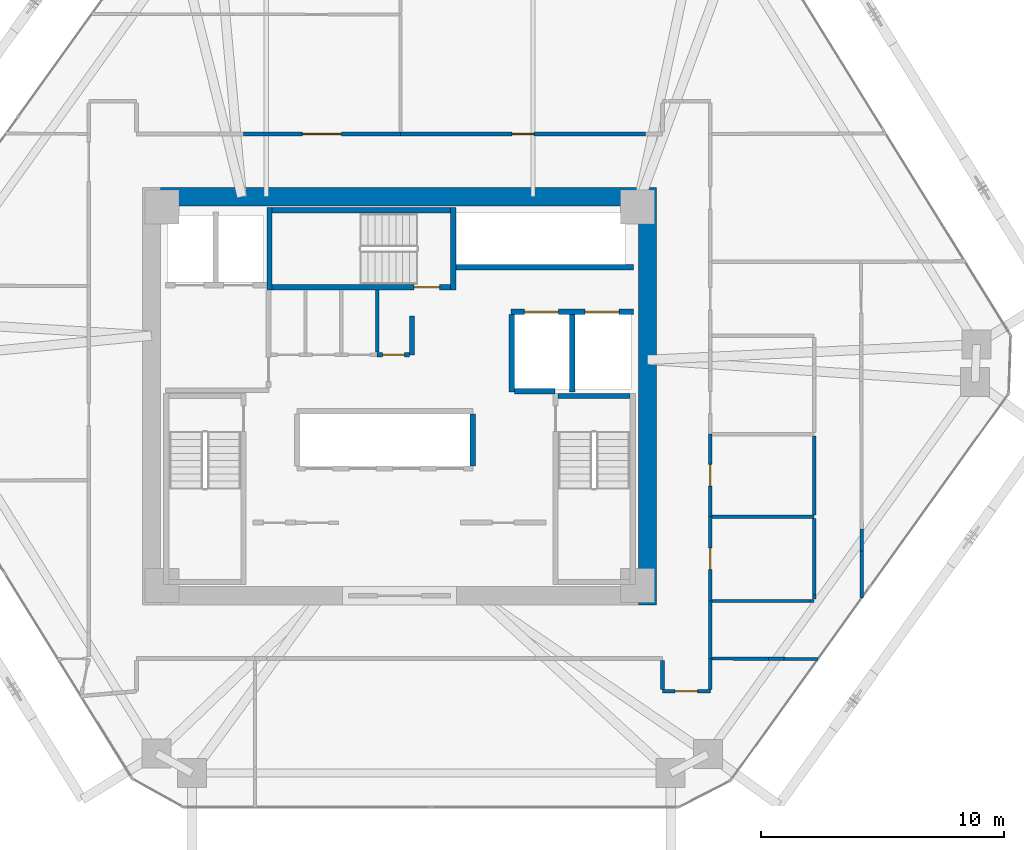
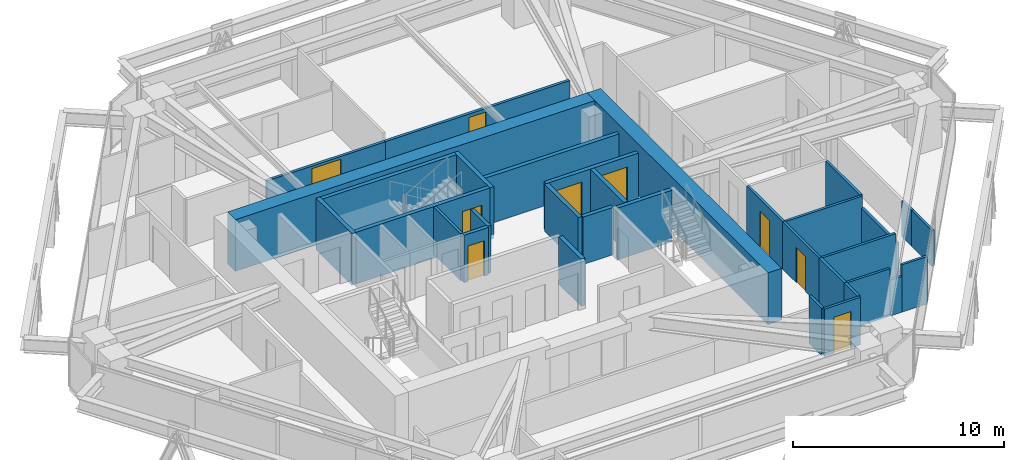
# One storey, part 14 of 17: 35 walls, 9 doors, 9 openings.
"""IFC4 building model written with IfcOpenShell, lengths in metres."""

import ifcopenshell
import ifcopenshell.guid

model = None  # the IFC model being written
_history = None  # IfcOwnerHistory: only IFC2X3 demands one
_inside = {}  # id of a spatial element -> (the spatial element, [elements in it])
_under = {}  # id of a project, library or spatial element -> (it, [spatial elements below it])
_declared = {}  # id of a project -> (the project, [libraries it declares])
_typed = {}  # id of a type object -> (the type object, [elements of that type])
_made_of = {}  # id of a material, layer set ... -> (it, [elements and type objects made of it])


def new_model(schema):
    """Start an empty IFC model of exactly this schema.

    Asked for "IFC4X3", IfcOpenShell would pick the latest addendum, in which some entities
    have other attributes; the version numbers below select the first issue.
    IFC2X3 requires an IfcOwnerHistory on every rooted entity: one is made here for all.
    """
    global model, _history
    if schema == "IFC4X3":
        model = ifcopenshell.file(schema_version=(4, 3, 0, 0))
    else:
        model = ifcopenshell.file(schema=schema)
    _inside.clear()
    _under.clear()
    _declared.clear()
    _typed.clear()
    _made_of.clear()
    _history = None
    if model.schema == "IFC2X3":
        org = make("IfcOrganization", Name="unknown")
        user = make(
            "IfcPersonAndOrganization",
            ThePerson=make("IfcPerson", FamilyName="unknown"),
            TheOrganization=org,
        )
        app = make(
            "IfcApplication",
            ApplicationDeveloper=org,
            Version="unknown",
            ApplicationFullName="unknown",
            ApplicationIdentifier="unknown",
        )
        _history = make(
            "IfcOwnerHistory",
            OwningUser=user,
            OwningApplication=app,
            ChangeAction="ADDED",
            CreationDate=0,
        )
    return model


def make(cls, **values):
    """One entity of the class cls with the attributes given. An attribute that is None is left unset."""
    return model.create_entity(
        cls, **{name: value for name, value in values.items() if value is not None}
    )


def rooted(cls, **values):
    """An entity with a GlobalId (a new one), such as an element, a storey or a relation."""
    return make(cls, GlobalId=ifcopenshell.guid.new(), OwnerHistory=_history, **values)


def si_unit(unit_type, name, prefix=None):
    """IfcSIUnit, for example si_unit("LENGTHUNIT", "METRE", prefix="MILLI")."""
    return make("IfcSIUnit", UnitType=unit_type, Prefix=prefix, Name=name)


def assignment(units):
    """IfcUnitAssignment: the units of a project."""
    return None if units is None else make("IfcUnitAssignment", Units=units)


def point(xyz):
    """IfcCartesianPoint."""
    return None if xyz is None else make("IfcCartesianPoint", Coordinates=xyz)


def direction(xyz):
    """IfcDirection."""
    return None if xyz is None else make("IfcDirection", DirectionRatios=xyz)


def frame(location, z_axis=None, x_axis=None):
    """IfcAxis2Placement3D, a coordinate frame: its origin and axes. An axis left out is left unset."""
    return make(
        "IfcAxis2Placement3D",
        Location=point(location),
        Axis=direction(z_axis),
        RefDirection=direction(x_axis),
    )


def frame_2d(location, x_axis=None):
    """IfcAxis2Placement2D, a coordinate frame in the plane: its origin and x axis."""
    return make(
        "IfcAxis2Placement2D", Location=point(location), RefDirection=direction(x_axis)
    )


def origin():
    """The frame at (0, 0, 0) with its axes left unset."""
    return frame((0.0, 0.0, 0.0))


def place(relative_to, where):
    """IfcLocalPlacement: puts the frame where relative to a parent placement (None: the world)."""
    return make(
        "IfcLocalPlacement", PlacementRelTo=relative_to, RelativePlacement=where
    )


def context(
    kind, dimensions, precision=None, world=None, true_north=None, identifier=None
):
    """IfcGeometricRepresentationContext, for example the 3D "Model" context."""
    return make(
        "IfcGeometricRepresentationContext",
        ContextIdentifier=identifier,
        ContextType=kind,
        CoordinateSpaceDimension=dimensions,
        Precision=precision,
        WorldCoordinateSystem=world,
        TrueNorth=true_north,
    )


def subcontext(parent, identifier, kind, view, scale=None):
    """IfcGeometricRepresentationSubContext, for example "Body" below "Model"."""
    return make(
        "IfcGeometricRepresentationSubContext",
        ContextIdentifier=identifier,
        ContextType=kind,
        ParentContext=parent,
        TargetScale=scale,
        TargetView=view,
    )


def project(units=None, contexts=None):
    """IfcProject with its units and contexts."""
    return rooted(
        "IfcProject",
        Name="project",
        RepresentationContexts=contexts,
        UnitsInContext=assignment(units),
    )


def spatial(cls, under=None, at=None, **own):
    """A site, building, storey or space (cls), placed at a placement, below another one or the project."""
    s = rooted(cls, ObjectPlacement=at, **own)
    if under is not None:
        _under.setdefault(under.id(), (under, []))[1].append(s)
    return s


def profile(cls, at=None, kind="AREA", **sizes):
    """A parametric profile (cls). Its sizes go by their IFC names, for example OverallWidth=200.0."""
    return make(cls, ProfileType=kind, Position=at, **sizes)


def rectangle(**sizes):
    """IfcRectangleProfileDef."""
    return profile("IfcRectangleProfileDef", **sizes)


def extrude(swept, where, along, depth):
    """IfcExtrudedAreaSolid: the profile swept, set in the frame where, extruded along a direction by depth."""
    return make(
        "IfcExtrudedAreaSolid",
        SweptArea=swept,
        Position=where,
        ExtrudedDirection=direction(along),
        Depth=depth,
    )


def shape(context_of_items, identifier, shape_type, items):
    """IfcShapeRepresentation: the items that make up one representation, for example the "Body"."""
    return make(
        "IfcShapeRepresentation",
        ContextOfItems=context_of_items,
        RepresentationIdentifier=identifier,
        RepresentationType=shape_type,
        Items=items,
    )


def source(mapping_origin, context_of_items, identifier, shape_type, items):
    """IfcRepresentationMap: a shape defined once, which mapped items show again and again."""
    return make(
        "IfcRepresentationMap",
        MappingOrigin=mapping_origin,
        MappedRepresentation=shape(context_of_items, identifier, shape_type, items),
    )


def transform(
    local_origin,
    x_axis=None,
    y_axis=None,
    z_axis=None,
    scale=None,
    scale2=None,
    scale3=None,
    uniform=True,
):
    """IfcCartesianTransformationOperator3D, or its non-uniform kind. x_axis, y_axis, z_axis: its Axis1, 2, 3."""
    if uniform:
        return make(
            "IfcCartesianTransformationOperator3D",
            Axis1=direction(x_axis),
            Axis2=direction(y_axis),
            LocalOrigin=point(local_origin),
            Scale=scale,
            Axis3=direction(z_axis),
        )
    return make(
        "IfcCartesianTransformationOperator3DnonUniform",
        Axis1=direction(x_axis),
        Axis2=direction(y_axis),
        LocalOrigin=point(local_origin),
        Scale=scale,
        Axis3=direction(z_axis),
        Scale2=scale2,
        Scale3=scale3,
    )


def mapped(mapping_source, mapping_target):
    """IfcMappedItem: shows the shape of a source again, moved by a transform."""
    return make(
        "IfcMappedItem", MappingSource=mapping_source, MappingTarget=mapping_target
    )


def material(Name=None, Category=None):
    """IfcMaterial."""
    return make("IfcMaterial", Name=Name, Category=Category)


def layer(
    of_material, thickness, ventilated=None, Name=None, Category=None, Priority=None
):
    """IfcMaterialLayer: one layer of a wall or slab, of a material (None: an air gap)."""
    return make(
        "IfcMaterialLayer",
        Material=of_material,
        LayerThickness=thickness,
        IsVentilated=ventilated,
        Name=Name,
        Category=Category,
        Priority=Priority,
    )


def layer_set(layers, Name=None):
    """IfcMaterialLayerSet."""
    return make("IfcMaterialLayerSet", MaterialLayers=layers, LayerSetName=Name)


def made_of(thing, what):
    """Note that an element or type object is made of a material, layer set ...; save() writes the relation."""
    if what is not None:
        _made_of.setdefault(what.id(), (what, []))[1].append(thing)
    return thing


def type_object(cls, material=None, **own):
    """A type object (cls), such as IfcWallType, which elements share."""
    return made_of(rooted(cls, **own), material)


def type_shapes(of_type, sources):
    """Give a type object the sources (RepresentationMaps) that its elements show as mapped items."""
    of_type.RepresentationMaps = sources


def element(
    cls,
    number,
    at=None,
    inside=None,
    cuts=None,
    type_object=None,
    material=None,
    context=None,
    identifier="Body",
    shape_type=None,
    held_by="IfcProductDefinitionShape",
    body=None,
    shapes=None,
    **own,
):
    """One element of the class cls, such as IfcWall. Its Tag is "e" and its number.

    at: its placement. inside: the storey or other place that contains it. cuts: it is an
    opening in that element (IfcRelVoidsElement). A single representation is given by context,
    identifier, shape_type and body (its items); several are given by shapes. held_by: the class
    of the entity that holds the representations. save() writes the other relations.
    """
    e = rooted(cls, Tag="e%d" % number, ObjectPlacement=at, **own)
    if body is not None:
        shapes = [shape(context, identifier, shape_type, body)]
    if shapes is not None:
        e.Representation = make(held_by, Representations=shapes)
    if inside is not None:
        _inside.setdefault(inside.id(), (inside, []))[1].append(e)
    if cuts is not None:
        rooted(
            "IfcRelVoidsElement", RelatingBuildingElement=cuts, RelatedOpeningElement=e
        )
    if type_object is not None:
        _typed.setdefault(type_object.id(), (type_object, []))[1].append(e)
    return made_of(e, material)


def fill(opening, filler):
    """IfcRelFillsElement: the door or window that sits in an opening."""
    return rooted(
        "IfcRelFillsElement",
        RelatingOpeningElement=opening,
        RelatedBuildingElement=filler,
    )


def aggregate(whole, parts):
    """IfcRelAggregates: a whole, such as a stair, and the parts it consists of."""
    return rooted("IfcRelAggregates", RelatingObject=whole, RelatedObjects=parts)


def save(model, path):
    """Write the relations noted so far, then the file.

    IfcRelAggregates (storeys below a building ...), IfcRelContainedInSpatialStructure (elements
    in a storey), IfcRelDefinesByType, IfcRelAssociatesMaterial and IfcRelDeclares: one each for
    every whole, place, type object, material and project.
    """
    for whole, parts in _under.values():
        aggregate(whole, parts)
    for where, things in _inside.values():
        rooted(
            "IfcRelContainedInSpatialStructure",
            RelatedElements=things,
            RelatingStructure=where,
        )
    for kind, things in _typed.values():
        rooted("IfcRelDefinesByType", RelatedObjects=things, RelatingType=kind)
    for what, things in _made_of.values():
        rooted("IfcRelAssociatesMaterial", RelatedObjects=things, RelatingMaterial=what)
    for by, libraries in _declared.values():
        rooted("IfcRelDeclares", RelatingContext=by, RelatedDefinitions=libraries)
    model.write(path)


model = new_model("IFC4")

# Units and contexts
model_context = context("Model", 3, precision=1e-05, world=origin(), true_north=direction((0.0, 1.0)))
body_context = subcontext(model_context, "Body", "Model", "MODEL_VIEW")
ifc_project = project(units=[si_unit("LENGTHUNIT", "METRE"), si_unit("AREAUNIT", "SQUARE_METRE"), si_unit("VOLUMEUNIT", "CUBIC_METRE"), si_unit("PLANEANGLEUNIT", "RADIAN"), si_unit("MASSUNIT", "GRAM", prefix="KILO")], contexts=[model_context])

# Site, building, storey
site_placement = place(None, origin())
site = spatial("IfcSite", under=ifc_project, at=site_placement, CompositionType="ELEMENT")
building_placement = place(site_placement, origin())
building = spatial("IfcBuilding", under=site, at=building_placement, Name="Durnholm Broadcast Tower", CompositionType="ELEMENT")
storey_placement = place(building_placement, frame((0.0, 0.0, 137.10009765625)))
storey = spatial("IfcBuildingStorey", under=building, at=storey_placement, Name="L37", CompositionType="ELEMENT", Elevation=137.10009765625)

# Walls
ifc_material_1 = material(Name="Concrete C70/85", Category="concrete")
ifc_layer_1 = layer(ifc_material_1, 0.75)
ifc_layer_set_1 = layer_set([ifc_layer_1], Name="Concrete C70/85")
wall_type_1 = type_object("IfcWallType", Name="WALL-CW-750", PredefinedType="SHEAR", material=ifc_layer_set_1)
wall_1_placement = place(storey_placement, frame((10.22509765625, -8.60009765625, 0.0), z_axis=(0.0, 0.0, 1.0), x_axis=(0.0, 1.0, 0.0)))
element("IfcWall", 1, at=wall_1_placement, inside=storey, type_object=wall_type_1, Name="L37 central core shear wall CW-EAST", PredefinedType="SHEAR", context=body_context, shape_type="SweptSolid", body=[
    extrude(rectangle(XDim=17.2001953125, YDim=0.75, at=frame_2d((8.60009765625, 0.0))), origin(), (0.0, 0.0, 1.0), 3.0),
])
wall_2_placement = place(storey_placement, frame((-9.85009765625, 8.22509765625, 0.0), z_axis=(0.0, 0.0, 1.0), x_axis=(1.0, 0.0, 0.0)))
element("IfcWall", 2, at=wall_2_placement, inside=storey, type_object=wall_type_1, Name="L37 central core shear wall CW-N", PredefinedType="SHEAR", context=body_context, shape_type="SweptSolid", body=[
    extrude(rectangle(XDim=19.7001953125, YDim=0.75, at=frame_2d((9.85009765625, 0.0))), origin(), (0.0, 0.0, 1.0), 3.0),
])
ifc_material_2 = material(Name="Fire-Rated Gypsum Shaftwall", Category="concrete")
ifc_layer_2 = layer(ifc_material_2, 0.199951171875)
ifc_layer_set_2 = layer_set([ifc_layer_2], Name="Fire-Rated Gypsum Shaftwall")
wall_type_2 = type_object("IfcWallType", Name="WALL-LOB-200", PredefinedType="SOLIDWALL", material=ifc_layer_set_2)
wall_3_placement = place(storey_placement, frame((0.52001953125, 3.300048828125, 0.0), z_axis=(0.0, 0.0, 1.0), x_axis=(0.0, -1.0, 0.0)))
element("IfcWall", 3, at=wall_3_placement, inside=storey, type_object=wall_type_2, Name="L37 Core Signal Sync Room corridor partition", PredefinedType="SOLIDWALL", context=body_context, shape_type="SweptSolid", body=[
    extrude(rectangle(XDim=1.590087890625, YDim=0.199951171875, at=frame_2d((0.794921875, 0.0))), origin(), (0.0, 0.0, 1.0), 2.744873046875),
])

# Wall, opening, door
wall_4_placement = place(storey_placement, frame((0.416015625, 1.7099609375, 0.0), z_axis=(0.0, 0.0, 1.0), x_axis=(-1.0, 0.0, 0.0)))
wall_4 = element("IfcWall", 4, at=wall_4_placement, inside=storey, type_object=wall_type_2, Name="L37 Core Signal Sync Room corridor partition", PredefinedType="SOLIDWALL", context=body_context, shape_type="SweptSolid", body=[
    extrude(rectangle(XDim=1.3359375, YDim=0.199951171875, at=frame_2d((0.66796875, 0.0))), origin(), (0.0, 0.0, 1.0), 2.744873046875),
])
opening_1_placement = place(wall_4_placement, frame((0.218017578125, 0.0, 0.0)))
opening_1 = element("IfcOpeningElement", 5, at=opening_1_placement, cuts=wall_4, Name="Opening DC-60L", PredefinedType="OPENING", context=body_context, shape_type="SweptSolid", body=[
    extrude(rectangle(XDim=0.89990234375, YDim=2.050048828125, at=frame_2d((0.449951171875, 1.02490234375))), frame((0.0, 0.10986328125, 0.0), z_axis=(0.0, -1.0, 0.0), x_axis=(1.0, 0.0, 0.0)), (0.0, 0.0, 1.0), 0.219970703125),
])
ifc_material_3 = material(Name="Fire-Rated Core Service Door", Category="steel")
ifc_layer_3 = layer(ifc_material_3, 0.050048828125)
ifc_layer_set_3 = layer_set([ifc_layer_3], Name="Fire-Rated Core Service Door")
door_type_1 = type_object("IfcDoorType", Name="DOOR-CORE-FD60-L", OperationType="NOTDEFINED", PredefinedType="DOOR", material=ifc_layer_set_3)
shared_shape_1 = source(origin(), body_context, "Body", "SweptSolid", [
    extrude(rectangle(XDim=0.89990234375, YDim=2.050048828125, at=frame_2d((0.449951171875, 1.02490234375))), frame((0.0, 0.02490234375, 0.0), z_axis=(0.0, -1.0, 0.0), x_axis=(1.0, 0.0, 0.0)), (0.0, 0.0, 1.0), 0.050048828125),
])
type_shapes(door_type_1, [shared_shape_1])
door_1_placement = place(opening_1_placement, origin())
door_1 = element("IfcDoor", 6, at=door_1_placement, inside=storey, type_object=door_type_1, Name="L37 Core Signal Sync Room entrance door", OperationType="SINGLE_SWING_LEFT", OverallHeight=2.050048828125, OverallWidth=0.89990234375, PredefinedType="DOOR", context=body_context, shape_type="MappedRepresentation", body=[
    mapped(shared_shape_1, transform((0.0, 0.0, 0.0), x_axis=(1.0, 0.0, 0.0), y_axis=(0.0, 1.0, 0.0), z_axis=(0.0, 0.0, 1.0), scale=1.0)),
])
fill(opening_1, door_1)

# Walls
ifc_material_4 = material(Name="Gypsum Metal Stud Partition", Category="concrete")
ifc_layer_4 = layer(ifc_material_4, 0.135009765625)
ifc_layer_set_4 = layer_set([ifc_layer_4], Name="Gypsum Metal Stud Partition")
wall_type_3 = type_object("IfcWallType", Name="WALL-PART-135", PredefinedType="PARTITIONING", material=ifc_layer_set_4)
wall_5_placement = place(storey_placement, frame((-0.919921875, 4.375, 0.0), z_axis=(0.0, 0.0, 1.0), x_axis=(0.0, -1.0, 0.0)))
element("IfcWall", 7, at=wall_5_placement, inside=storey, type_object=wall_type_3, Name="L37 room dividing partition 6.7", PredefinedType="PARTITIONING", context=body_context, shape_type="SweptSolid", body=[
    extrude(rectangle(XDim=2.56103515625, YDim=0.135009765625, at=frame_2d((1.280517578125, 0.0))), origin(), (0.0, 0.0, 1.0), 2.744873046875),
])
wall_6_placement = place(storey_placement, frame((12.888916015625, -10.810302734375, 0.0), z_axis=(0.0, 0.0, 1.0), x_axis=(0.999986120669, -0.005268630773, 0.0)))
element("IfcWall", 8, at=wall_6_placement, inside=storey, type_object=wall_type_3, Name="L37 room dividing partition 15.19", PredefinedType="PARTITIONING", context=body_context, shape_type="SweptSolid", body=[
    extrude(rectangle(XDim=2.31689453125, YDim=0.135009765625, at=frame_2d((1.158447265625, 0.0))), origin(), (0.0, 0.0, 1.0), 2.744873046875),
])
wall_7_placement = place(storey_placement, frame((15.85498046875, -10.825927734375, 0.0), z_axis=(0.0, 0.0, 1.0), x_axis=(0.999986174138, -0.005258472432, 0.0)))
element("IfcWall", 9, at=wall_7_placement, inside=storey, type_object=wall_type_3, Name="L37 room dividing partition 15.19", PredefinedType="PARTITIONING", context=body_context, shape_type="SweptSolid", body=[
    extrude(rectangle(XDim=1.392822265625, YDim=0.135009765625, at=frame_2d((0.6962890625, 0.0))), origin(), (0.0, 0.0, 1.0), 2.744873046875),
])
wall_8_placement = place(storey_placement, frame((15.205810546875, -10.822509765625, 0.0), z_axis=(0.0, 0.0, 1.0), x_axis=(0.999986139453, -0.005265064292, 0.0)))
element("IfcWall", 10, at=wall_8_placement, inside=storey, type_object=wall_type_3, Name="L37 room dividing partition 15.19", PredefinedType="PARTITIONING", context=body_context, shape_type="SweptSolid", body=[
    extrude(rectangle(XDim=0.649169921875, YDim=0.135009765625, at=frame_2d((0.32470703125, 0.0))), origin(), (0.0, 0.0, 1.0), 2.079833984375),
])
wall_9_placement = place(storey_placement, frame((19.050048828125, -6.37841796875, 0.0), z_axis=(0.0, 0.0, 1.0), x_axis=(0.0022652849, -0.999997434239, 0.0)))
element("IfcWall", 11, at=wall_9_placement, inside=storey, type_object=wall_type_3, Name="L37 room dividing partition 19.20", PredefinedType="PARTITIONING", context=body_context, shape_type="SweptSolid", body=[
    extrude(rectangle(XDim=1.93994140625, YDim=0.135009765625, at=frame_2d((0.969970703125, 0.0))), origin(), (0.0, 0.0, 1.0), 2.079833984375),
])
wall_10_placement = place(storey_placement, frame((19.0478515625, -5.474609375, 0.0), z_axis=(0.0, 0.0, 1.0), x_axis=(0.00243111113, -0.999997044845, 0.0)))
element("IfcWall", 12, at=wall_10_placement, inside=storey, type_object=wall_type_3, Name="L37 room dividing partition 19.20", PredefinedType="PARTITIONING", context=body_context, shape_type="SweptSolid", body=[
    extrude(rectangle(XDim=0.90380859375, YDim=0.135009765625, at=frame_2d((0.451904296875, 0.0))), origin(), (0.0, 0.0, 1.0), 2.079833984375),
])

# Wall, opening, door
ifc_material_5 = material(Name="Acoustic Gypsum Stud Partition", Category="concrete")
ifc_layer_5 = layer(ifc_material_5, 0.14990234375)
ifc_layer_set_5 = layer_set([ifc_layer_5], Name="Acoustic Gypsum Stud Partition")
wall_type_4 = type_object("IfcWallType", Name="WALL-PART-150", PredefinedType="PARTITIONING", material=ifc_layer_set_5)
wall_11_placement = place(storey_placement, frame((0.0400390625, 10.81005859375, 0.0), z_axis=(0.0, 0.0, 1.0), x_axis=(-1.0, 0.0, 0.0)))
wall_11 = element("IfcWall", 13, at=wall_11_placement, inside=storey, type_object=wall_type_4, Name="L37 Interactive Media Hall corridor partition", PredefinedType="PARTITIONING", context=body_context, shape_type="SweptSolid", body=[
    extrude(rectangle(XDim=6.481201171875, YDim=0.14990234375, at=frame_2d((3.24072265625, 0.0))), origin(), (0.0, 0.0, 1.0), 2.30810546875),
])
opening_2_placement = place(wall_11_placement, frame((2.4404296875, 0.0, 0.0)))
opening_2 = element("IfcOpeningElement", 14, at=opening_2_placement, cuts=wall_11, Name="Opening DST-160", PredefinedType="OPENING", context=body_context, shape_type="SweptSolid", body=[
    extrude(rectangle(XDim=1.60009765625, YDim=2.14990234375, at=frame_2d((0.800048828125, 1.074951171875))), frame((0.0, 0.0849609375, 0.0), z_axis=(0.0, -1.0, 0.0), x_axis=(1.0, 0.0, 0.0)), (0.0, 0.0, 1.0), 0.169921875),
])
ifc_material_6 = material(Name="Acoustic Broadcast Studio Sound-Lock Door", Category="steel")
ifc_layer_6 = layer(ifc_material_6, 0.050048828125)
ifc_layer_set_6 = layer_set([ifc_layer_6], Name="Acoustic Broadcast Studio Sound-Lock Door")
door_type_2 = type_object("IfcDoorType", Name="DOOR-STU-1600", OperationType="DOUBLE_DOOR_SINGLE_SWING", PredefinedType="DOOR", material=ifc_layer_set_6)
shared_shape_2 = source(origin(), body_context, "Body", "SweptSolid", [
    extrude(rectangle(XDim=1.60009765625, YDim=2.14990234375, at=frame_2d((0.800048828125, 1.074951171875))), frame((0.0, 0.02490234375, 0.0), z_axis=(0.0, -1.0, 0.0), x_axis=(1.0, 0.0, 0.0)), (0.0, 0.0, 1.0), 0.050048828125),
])
type_shapes(door_type_2, [shared_shape_2])
door_2_placement = place(opening_2_placement, origin())
door_2 = element("IfcDoor", 15, at=door_2_placement, inside=storey, type_object=door_type_2, Name="L37 Interactive Media Hall entrance door", OperationType="DOUBLE_DOOR_SINGLE_SWING", OverallHeight=2.14990234375, OverallWidth=1.60009765625, PredefinedType="DOOR", context=body_context, shape_type="MappedRepresentation", body=[
    mapped(shared_shape_2, transform((0.0, 0.0, 0.0), x_axis=(1.0, 0.0, 0.0), y_axis=(0.0, 1.0, 0.0), z_axis=(0.0, 0.0, 1.0), scale=1.0)),
])
fill(opening_2, door_2)

wall_12_placement = place(storey_placement, frame((10.1416015625, 10.81005859375, 0.0), z_axis=(0.0, 0.0, 1.0), x_axis=(-1.0, 0.0, 0.0)))
wall_12 = element("IfcWall", 16, at=wall_12_placement, inside=storey, type_object=wall_type_4, Name="L37 Realtime Graphics Lounge corridor partition", PredefinedType="PARTITIONING", context=body_context, shape_type="SweptSolid", body=[
    extrude(rectangle(XDim=10.1015625, YDim=0.14990234375, at=frame_2d((5.05078125, 0.0))), origin(), (0.0, 0.0, 1.0), 2.30810546875),
])
opening_3_placement = place(wall_12_placement, frame((4.5908203125, 0.0, 0.0)))
opening_3 = element("IfcOpeningElement", 17, at=opening_3_placement, cuts=wall_12, Name="Opening DR-92R", PredefinedType="OPENING", context=body_context, shape_type="SweptSolid", body=[
    extrude(rectangle(XDim=0.919921875, YDim=2.10009765625, at=frame_2d((0.4599609375, 1.050048828125))), frame((0.0, 0.0849609375, 0.0), z_axis=(0.0, -1.0, 0.0), x_axis=(1.0, 0.0, 0.0)), (0.0, 0.0, 1.0), 0.169921875),
])
ifc_material_7 = material(Name="Oak Veneer Office Door", Category="wood")
ifc_layer_7 = layer(ifc_material_7, 0.050048828125)
ifc_layer_set_7 = layer_set([ifc_layer_7], Name="Oak Veneer Office Door")
door_type_3 = type_object("IfcDoorType", Name="DOOR-RM-920R", OperationType="NOTDEFINED", PredefinedType="DOOR", material=ifc_layer_set_7)
shared_shape_3 = source(origin(), body_context, "Body", "SweptSolid", [
    extrude(rectangle(XDim=0.919921875, YDim=2.10009765625, at=frame_2d((0.4599609375, 1.050048828125))), frame((0.0, 0.02490234375, 0.0), z_axis=(0.0, -1.0, 0.0), x_axis=(1.0, 0.0, 0.0)), (0.0, 0.0, 1.0), 0.050048828125),
])
type_shapes(door_type_3, [shared_shape_3])
door_3_placement = place(opening_3_placement, origin())
door_3 = element("IfcDoor", 18, at=door_3_placement, inside=storey, type_object=door_type_3, Name="L37 Realtime Graphics Lounge entrance door", OperationType="SINGLE_SWING_RIGHT", OverallHeight=2.10009765625, OverallWidth=0.919921875, PredefinedType="DOOR", context=body_context, shape_type="MappedRepresentation", body=[
    mapped(shared_shape_3, transform((0.0, 0.0, 0.0), x_axis=(1.0, 0.0, 0.0), y_axis=(0.0, 1.0, 0.0), z_axis=(0.0, 0.0, 1.0), scale=1.0)),
])
fill(opening_3, door_3)

wall_13_placement = place(storey_placement, frame((10.840087890625, -12.159912109375, 0.0), z_axis=(0.0, 0.0, 1.0), x_axis=(1.0, 0.0, 0.0)))
wall_13 = element("IfcWall", 19, at=wall_13_placement, inside=storey, type_object=wall_type_4, Name="L37 Studio Kitchen corridor partition", PredefinedType="PARTITIONING", context=body_context, shape_type="SweptSolid", body=[
    extrude(rectangle(XDim=1.969970703125, YDim=0.14990234375, at=frame_2d((0.98486328125, 0.0))), origin(), (0.0, 0.0, 1.0), 2.744873046875),
])
opening_4_placement = place(wall_13_placement, frame((0.52490234375, 0.0, 0.0)))
opening_4 = element("IfcOpeningElement", 20, at=opening_4_placement, cuts=wall_13, Name="Opening DR-92R", PredefinedType="OPENING", context=body_context, shape_type="SweptSolid", body=[
    extrude(rectangle(XDim=0.919921875, YDim=2.10009765625, at=frame_2d((0.4599609375, 1.050048828125))), frame((0.0, 0.0849609375, 0.0), z_axis=(0.0, -1.0, 0.0), x_axis=(1.0, 0.0, 0.0)), (0.0, 0.0, 1.0), 0.169921875),
])
door_4_placement = place(opening_4_placement, origin())
door_4 = element("IfcDoor", 21, at=door_4_placement, inside=storey, type_object=door_type_3, Name="L37 Studio Kitchen entrance door", OperationType="SINGLE_SWING_RIGHT", OverallHeight=2.10009765625, OverallWidth=0.919921875, PredefinedType="DOOR", context=body_context, shape_type="MappedRepresentation", body=[
    mapped(shared_shape_3, transform((0.0, 0.0, 0.0), x_axis=(1.0, 0.0, 0.0), y_axis=(0.0, 1.0, 0.0), z_axis=(0.0, 0.0, 1.0), scale=1.0)),
])
fill(opening_4, door_4)

# Walls
wall_14_placement = place(storey_placement, frame((10.840087890625, -10.888916015625, 0.0), z_axis=(0.0, 0.0, 1.0), x_axis=(0.0, -1.0, 0.0)))
element("IfcWall", 22, at=wall_14_placement, inside=storey, type_object=wall_type_4, Name="L37 Studio Kitchen corridor partition", PredefinedType="PARTITIONING", context=body_context, shape_type="SweptSolid", body=[
    extrude(rectangle(XDim=1.192138671875, YDim=0.14990234375, at=frame_2d((0.59619140625, 0.0))), origin(), (0.0, 0.0, 1.0), 2.744873046875),
])
wall_15_placement = place(storey_placement, frame((12.81005859375, -12.0810546875, 0.0), z_axis=(0.0, 0.0, 1.0), x_axis=(0.0, 1.0, 0.0)))
element("IfcWall", 23, at=wall_15_placement, inside=storey, type_object=wall_type_4, Name="L37 Studio Kitchen corridor partition", PredefinedType="PARTITIONING", context=body_context, shape_type="SweptSolid", body=[
    extrude(rectangle(XDim=1.27099609375, YDim=0.14990234375, at=frame_2d((0.635498046875, 0.0))), origin(), (0.0, 0.0, 1.0), 2.744873046875),
])
wall_16_placement = place(storey_placement, frame((12.81005859375, -10.81005859375, 0.0), z_axis=(0.0, 0.0, 1.0), x_axis=(0.0, 1.0, 0.0)))
element("IfcWall", 24, at=wall_16_placement, inside=storey, type_object=wall_type_4, Name="L37 Realtime Graphics Lounge corridor partition", PredefinedType="PARTITIONING", context=body_context, shape_type="SweptSolid", body=[
    extrude(rectangle(XDim=2.3701171875, YDim=0.14990234375, at=frame_2d((1.18505859375, 0.0))), origin(), (0.0, 0.0, 1.0), 2.744873046875),
])

# Wall, openings, doors
ifc_material_8 = material(Name="Concrete Blockwork C30/37", Category="masonry")
ifc_layer_8 = layer(ifc_material_8, 0.219970703125)
ifc_layer_set_8 = layer_set([ifc_layer_8], Name="Concrete Blockwork C30/37")
wall_type_5 = type_object("IfcWallType", Name="WALL-SHAFT-220", PredefinedType="SOLIDWALL", material=ifc_layer_set_8)
wall_17_placement = place(storey_placement, frame((4.60009765625, 3.47998046875, 0.0), z_axis=(0.0, 0.0, 1.0), x_axis=(1.0, 0.0, 0.0)))
wall_17 = element("IfcWall", 25, at=wall_17_placement, inside=storey, type_object=wall_type_5, Name="L37 freight service lifts north front wall", PredefinedType="SOLIDWALL", context=body_context, shape_type="SweptSolid", body=[
    extrude(rectangle(XDim=5.0498046875, YDim=0.219970703125, at=frame_2d((2.52490234375, 0.0))), origin(), (0.0, 0.0, 1.0), 2.744873046875),
])
opening_5_placement = place(wall_17_placement, frame((0.550048828125, 0.0, 0.0)))
opening_5 = element("IfcOpeningElement", 26, at=opening_5_placement, cuts=wall_17, Name="Opening LD-SVL-2", PredefinedType="OPENING", context=body_context, shape_type="SweptSolid", body=[
    extrude(rectangle(XDim=1.39990234375, YDim=2.14990234375, at=frame_2d((0.699951171875, 1.074951171875))), frame((0.0, 0.1201171875, 0.0), z_axis=(0.0, -1.0, 0.0), x_axis=(1.0, 0.0, 0.0)), (0.0, 0.0, 1.0), 0.239990234375),
])
opening_6_placement = place(wall_17_placement, frame((3.050048828125, 0.0, 0.0)))
opening_6 = element("IfcOpeningElement", 27, at=opening_6_placement, cuts=wall_17, Name="Opening LD-SVL-1", PredefinedType="OPENING", context=body_context, shape_type="SweptSolid", body=[
    extrude(rectangle(XDim=1.39990234375, YDim=2.14990234375, at=frame_2d((0.699951171875, 1.074951171875))), frame((0.0, 0.1201171875, 0.0), z_axis=(0.0, -1.0, 0.0), x_axis=(1.0, 0.0, 0.0)), (0.0, 0.0, 1.0), 0.239990234375),
])
ifc_material_9 = material(Name="Freight Elevator Bi-Parting Sliding Landing Door", Category="steel")
ifc_layer_9 = layer(ifc_material_9, 0.050048828125)
ifc_layer_set_9 = layer_set([ifc_layer_9], Name="Freight Elevator Bi-Parting Sliding Landing Door")
door_type_4 = type_object("IfcDoorType", Name="DOOR-LIFT-SVL", OperationType="DOUBLE_DOOR_SLIDING", PredefinedType="DOOR", material=ifc_layer_set_9)
shared_shape_4 = source(origin(), body_context, "Body", "SweptSolid", [
    extrude(rectangle(XDim=1.39990234375, YDim=2.14990234375, at=frame_2d((0.699951171875, 1.074951171875))), frame((0.0, 0.02490234375, 0.0), z_axis=(0.0, -1.0, 0.0), x_axis=(1.0, 0.0, 0.0)), (0.0, 0.0, 1.0), 0.050048828125),
])
type_shapes(door_type_4, [shared_shape_4])
door_5_placement = place(opening_5_placement, origin())
door_5 = element("IfcDoor", 28, at=door_5_placement, inside=storey, type_object=door_type_4, Name="L37 freight service elevator SVL-2 sliding landing door", OperationType="DOUBLE_DOOR_SLIDING", OverallHeight=2.14990234375, OverallWidth=1.39990234375, PredefinedType="DOOR", context=body_context, shape_type="MappedRepresentation", body=[
    mapped(shared_shape_4, transform((0.0, 0.0, 0.0), x_axis=(1.0, 0.0, 0.0), y_axis=(0.0, 1.0, 0.0), z_axis=(0.0, 0.0, 1.0), scale=1.0)),
])
fill(opening_5, door_5)
door_6_placement = place(opening_6_placement, origin())
door_6 = element("IfcDoor", 29, at=door_6_placement, inside=storey, type_object=door_type_4, Name="L37 freight service elevator SVL-1 sliding landing door", OperationType="DOUBLE_DOOR_SLIDING", OverallHeight=2.14990234375, OverallWidth=1.39990234375, PredefinedType="DOOR", context=body_context, shape_type="MappedRepresentation", body=[
    mapped(shared_shape_4, transform((0.0, 0.0, 0.0), x_axis=(1.0, 0.0, 0.0), y_axis=(0.0, 1.0, 0.0), z_axis=(0.0, 0.0, 1.0), scale=1.0)),
])
fill(opening_6, door_6)

# Walls
for number, where, z_axis, x_axis, name in (
    (30, (4.6201171875, 0.179931640625, 0.0), (0.0, 0.0, 1.0), (0.0, 1.0, 0.0), "L37 freight service lift SVL-2 west wall"),
    (31, (7.1201171875, 0.179931640625, 0.0), (0.0, 0.0, 1.0), (0.0, 1.0, 0.0), "L37 freight service lifts divider wall"),
):
    element("IfcWall", number, at=place(storey_placement, frame(where, z_axis=z_axis, x_axis=x_axis)), inside=storey, type_object=wall_type_5, Name=name, PredefinedType="SOLIDWALL", context=body_context, shape_type="SweptSolid", body=[
        extrude(rectangle(XDim=3.18603515625, YDim=0.219970703125, at=frame_2d((1.593017578125, 0.0))), origin(), (0.0, 0.0, 1.0), 2.744873046875),
    ])
wall_18_placement = place(storey_placement, frame((4.73388671875, 0.199951171875, 0.0), z_axis=(0.0, 0.0, 1.0), x_axis=(1.0, 0.0, 0.0)))
element("IfcWall", 32, at=wall_18_placement, inside=storey, type_object=wall_type_5, Name="L37 freight service lift SVL-2 south wall", PredefinedType="SOLIDWALL", context=body_context, shape_type="SweptSolid", body=[
    extrude(rectangle(XDim=1.666015625, YDim=0.219970703125, at=frame_2d((0.8330078125, 0.0))), origin(), (0.0, 0.0, 1.0), 2.744873046875),
])
wall_19_placement = place(storey_placement, frame((3.02001953125, -2.865966796875, 0.0), z_axis=(0.0, 0.0, 1.0), x_axis=(0.0, 1.0, 0.0)))
element("IfcWall", 33, at=wall_19_placement, inside=storey, type_object=wall_type_5, Name="L37 mid-rise bank P2 east shaft wall", PredefinedType="SOLIDWALL", context=body_context, shape_type="SweptSolid", body=[
    extrude(rectangle(XDim=2.132080078125, YDim=0.219970703125, at=frame_2d((1.06591796875, 0.0))), origin(), (0.0, 0.0, 1.0), 2.744873046875),
])
wall_20_placement = place(storey_placement, frame((2.324951171875, 5.320068359375, 0.0), z_axis=(0.0, 0.0, 1.0), x_axis=(1.0, 0.0, 0.0)))
element("IfcWall", 34, at=wall_20_placement, inside=storey, type_object=wall_type_5, Name="L37 high-rise bank P3 south front wall", PredefinedType="SOLIDWALL", context=body_context, shape_type="SweptSolid", body=[
    extrude(rectangle(XDim=7.324951171875, YDim=0.219970703125, at=frame_2d((3.66259765625, 0.0))), origin(), (0.0, 0.0, 1.0), 2.744873046875),
])
ifc_material_10 = material(Name="Concrete C50/60", Category="concrete")
ifc_layer_10 = layer(ifc_material_10, 0.219970703125)
ifc_layer_set_10 = layer_set([ifc_layer_10], Name="Concrete C50/60")
wall_type_6 = type_object("IfcWallType", Name="WALL-SW-220", PredefinedType="SHEAR", material=ifc_layer_set_10)
wall_21_placement = place(storey_placement, frame((9.5, 0.010009765625, -0.239990234375), z_axis=(0.0, 0.0, 1.0), x_axis=(-1.0, 0.0, 0.0)))
element("IfcWall", 35, at=wall_21_placement, inside=storey, type_object=wall_type_6, Name="L37 stair ST-2 structural shaft wall N", PredefinedType="SHEAR", context=body_context, shape_type="SweptSolid", body=[
    extrude(rectangle(XDim=2.9599609375, YDim=0.219970703125, at=frame_2d((1.47998046875, 0.0))), origin(), (0.0, 0.0, 1.0), 3.0),
])
for number, where, z_axis, x_axis, name in (
    (36, (2.2099609375, 4.3798828125, -0.239990234375), (0.0, 0.0, 1.0), (0.0, 1.0, 0.0), "L37 stair ST-3 structural shaft wall E"),
    (37, (-5.360107421875, 7.780029296875, -0.239990234375), (0.0, 0.0, 1.0), (0.0, -1.0, 0.0), "L37 stair ST-3 structural shaft wall W"),
):
    element("IfcWall", number, at=place(storey_placement, frame(where, z_axis=z_axis, x_axis=x_axis)), inside=storey, type_object=wall_type_6, Name=name, PredefinedType="SHEAR", context=body_context, shape_type="SweptSolid", body=[
        extrude(rectangle(XDim=3.400146484375, YDim=0.219970703125, at=frame_2d((1.7001953125, 0.0))), origin(), (0.0, 0.0, 1.0), 3.0),
    ])

# Wall, opening, door
wall_22_placement = place(storey_placement, frame((-5.25, 4.489990234375, -0.239990234375), z_axis=(0.0, 0.0, 1.0), x_axis=(1.0, 0.0, 0.0)))
wall_22 = element("IfcWall", 38, at=wall_22_placement, inside=storey, type_object=wall_type_6, Name="L37 stair ST-3 structural shaft wall S", PredefinedType="SHEAR", context=body_context, shape_type="SweptSolid", body=[
    extrude(rectangle(XDim=7.35009765625, YDim=0.219970703125, at=frame_2d((3.675048828125, 0.0))), origin(), (0.0, 0.0, 1.0), 3.0),
])
opening_7_placement = place(wall_22_placement, frame((5.85009765625, 0.0, 0.0)))
opening_7 = element("IfcOpeningElement", 39, at=opening_7_placement, cuts=wall_22, Name="Opening DS-90L", PredefinedType="OPENING", context=body_context, shape_type="SweptSolid", body=[
    extrude(rectangle(XDim=1.050048828125, YDim=2.14990234375, at=frame_2d((0.52490234375, 1.074951171875))), frame((0.0, 0.1201171875, 0.0), z_axis=(0.0, -1.0, 0.0), x_axis=(1.0, 0.0, 0.0)), (0.0, 0.0, 1.0), 0.239990234375),
])
ifc_material_11 = material(Name="Fire-Rated Steel Door", Category="steel")
ifc_layer_11 = layer(ifc_material_11, 0.050048828125)
ifc_layer_set_11 = layer_set([ifc_layer_11], Name="Fire-Rated Steel Door")
door_type_5 = type_object("IfcDoorType", Name="DOOR-ST-FD90-L", OperationType="NOTDEFINED", PredefinedType="DOOR", material=ifc_layer_set_11)
shared_shape_5 = source(origin(), body_context, "Body", "SweptSolid", [
    extrude(rectangle(XDim=1.050048828125, YDim=2.14990234375, at=frame_2d((0.52490234375, 1.074951171875))), frame((0.0, 0.02490234375, 0.0), z_axis=(0.0, -1.0, 0.0), x_axis=(1.0, 0.0, 0.0)), (0.0, 0.0, 1.0), 0.050048828125),
])
type_shapes(door_type_5, [shared_shape_5])
door_7_placement = place(opening_7_placement, origin())
door_7 = element("IfcDoor", 40, at=door_7_placement, inside=storey, type_object=door_type_5, Name="L37 exit stair ST-3 fire door", OperationType="SINGLE_SWING_LEFT", OverallHeight=2.14990234375, OverallWidth=1.050048828125, PredefinedType="DOOR", context=body_context, shape_type="MappedRepresentation", body=[
    mapped(shared_shape_5, transform((0.0, 0.0, 0.0), x_axis=(1.0, 0.0, 0.0), y_axis=(0.0, 1.0, 0.0), z_axis=(0.0, 0.0, 1.0), scale=1.0)),
])
fill(opening_7, door_7)

# Wall
wall_23_placement = place(storey_placement, frame((2.10009765625, 7.669921875, -0.239990234375), z_axis=(0.0, 0.0, 1.0), x_axis=(-1.0, 0.0, 0.0)))
element("IfcWall", 41, at=wall_23_placement, inside=storey, type_object=wall_type_6, Name="L37 stair ST-3 structural shaft wall N", PredefinedType="SHEAR", context=body_context, shape_type="SweptSolid", body=[
    extrude(rectangle(XDim=7.35009765625, YDim=0.219970703125, at=frame_2d((3.675048828125, 0.0))), origin(), (0.0, 0.0, 1.0), 3.0),
])

# Wall, opening, door
ifc_material_12 = material(Name="Moisture-Resistant Tile Partition", Category="concrete")
ifc_layer_12 = layer(ifc_material_12, 0.139892578125)
ifc_layer_set_12 = layer_set([ifc_layer_12], Name="Moisture-Resistant Tile Partition")
wall_type_7 = type_object("IfcWallType", Name="WALL-WC-140", PredefinedType="PARTITIONING", material=ifc_layer_set_12)
wall_24_placement = place(storey_placement, frame((12.81005859375, -8.43994140625, 0.0), z_axis=(0.0, 0.0, 1.0), x_axis=(0.0, 1.0, 0.0)))
wall_24 = element("IfcWall", 42, at=wall_24_placement, inside=storey, type_object=wall_type_7, Name="L37 Men's Restroom corridor partition", PredefinedType="PARTITIONING", context=body_context, shape_type="SweptSolid", body=[
    extrude(rectangle(XDim=3.47998046875, YDim=0.139892578125, at=frame_2d((1.739990234375, 0.0))), origin(), (0.0, 0.0, 1.0), 2.744873046875),
])
opening_8_placement = place(wall_24_placement, frame((1.2900390625, 0.0, 0.0)))
opening_8 = element("IfcOpeningElement", 43, at=opening_8_placement, cuts=wall_24, Name="Opening DW-90R", PredefinedType="OPENING", context=body_context, shape_type="SweptSolid", body=[
    extrude(rectangle(XDim=0.89990234375, YDim=2.050048828125, at=frame_2d((0.449951171875, 1.02490234375))), frame((0.0, 0.080078125, 0.0), z_axis=(0.0, -1.0, 0.0), x_axis=(1.0, 0.0, 0.0)), (0.0, 0.0, 1.0), 0.159912109375),
])
ifc_material_13 = material(Name="Laminate Restroom Door", Category="steel")
ifc_layer_13 = layer(ifc_material_13, 0.050048828125)
ifc_layer_set_13 = layer_set([ifc_layer_13], Name="Laminate Restroom Door")
door_type_6 = type_object("IfcDoorType", Name="DOOR-WC-900R", OperationType="NOTDEFINED", PredefinedType="DOOR", material=ifc_layer_set_13)
shared_shape_6 = source(origin(), body_context, "Body", "SweptSolid", [
    extrude(rectangle(XDim=0.89990234375, YDim=2.050048828125, at=frame_2d((0.449951171875, 1.02490234375))), frame((0.0, 0.02490234375, 0.0), z_axis=(0.0, -1.0, 0.0), x_axis=(1.0, 0.0, 0.0)), (0.0, 0.0, 1.0), 0.050048828125),
])
type_shapes(door_type_6, [shared_shape_6])
door_8_placement = place(opening_8_placement, origin())
door_8 = element("IfcDoor", 44, at=door_8_placement, inside=storey, type_object=door_type_6, Name="L37 Men's Restroom entrance door", OperationType="SINGLE_SWING_RIGHT", OverallHeight=2.050048828125, OverallWidth=0.89990234375, PredefinedType="DOOR", context=body_context, shape_type="MappedRepresentation", body=[
    mapped(shared_shape_6, transform((0.0, 0.0, 0.0), x_axis=(1.0, 0.0, 0.0), y_axis=(0.0, 1.0, 0.0), z_axis=(0.0, 0.0, 1.0), scale=1.0)),
])
fill(opening_8, door_8)

wall_25_placement = place(storey_placement, frame((12.81005859375, -4.9599609375, 0.0), z_axis=(0.0, 0.0, 1.0), x_axis=(0.0, 1.0, 0.0)))
wall_25 = element("IfcWall", 45, at=wall_25_placement, inside=storey, type_object=wall_type_7, Name="L37 Women's Restroom corridor partition", PredefinedType="PARTITIONING", context=body_context, shape_type="SweptSolid", body=[
    extrude(rectangle(XDim=3.39990234375, YDim=0.139892578125, at=frame_2d((1.699951171875, 0.0))), origin(), (0.0, 0.0, 1.0), 2.744873046875),
])
opening_9_placement = place(wall_25_placement, frame((1.25, 0.0, 0.0)))
opening_9 = element("IfcOpeningElement", 46, at=opening_9_placement, cuts=wall_25, Name="Opening DW-90L", PredefinedType="OPENING", context=body_context, shape_type="SweptSolid", body=[
    extrude(rectangle(XDim=0.89990234375, YDim=2.050048828125, at=frame_2d((0.449951171875, 1.02490234375))), frame((0.0, 0.080078125, 0.0), z_axis=(0.0, -1.0, 0.0), x_axis=(1.0, 0.0, 0.0)), (0.0, 0.0, 1.0), 0.159912109375),
])
ifc_layer_14 = layer(ifc_material_13, 0.050048828125)
ifc_layer_set_14 = layer_set([ifc_layer_14], Name="Laminate Restroom Door")
door_type_7 = type_object("IfcDoorType", Name="DOOR-WC-900L", OperationType="NOTDEFINED", PredefinedType="DOOR", material=ifc_layer_set_14)
shared_shape_7 = source(origin(), body_context, "Body", "SweptSolid", [
    extrude(rectangle(XDim=0.89990234375, YDim=2.050048828125, at=frame_2d((0.449951171875, 1.02490234375))), frame((0.0, 0.02490234375, 0.0), z_axis=(0.0, -1.0, 0.0), x_axis=(1.0, 0.0, 0.0)), (0.0, 0.0, 1.0), 0.050048828125),
])
type_shapes(door_type_7, [shared_shape_7])
door_9_placement = place(opening_9_placement, origin())
door_9 = element("IfcDoor", 47, at=door_9_placement, inside=storey, type_object=door_type_7, Name="L37 Women's Restroom entrance door", OperationType="SINGLE_SWING_LEFT", OverallHeight=2.050048828125, OverallWidth=0.89990234375, PredefinedType="DOOR", context=body_context, shape_type="MappedRepresentation", body=[
    mapped(shared_shape_7, transform((0.0, 0.0, 0.0), x_axis=(1.0, 0.0, 0.0), y_axis=(0.0, 1.0, 0.0), z_axis=(0.0, 0.0, 1.0), scale=1.0)),
])
fill(opening_9, door_9)

# Walls
wall_26_placement = place(storey_placement, frame((12.884033203125, -4.9599609375, 0.0), z_axis=(0.0, 0.0, 1.0), x_axis=(1.0, 0.0, 0.0)))
element("IfcWall", 48, at=wall_26_placement, inside=storey, type_object=wall_type_7, Name="L37 room dividing partition 8.9", PredefinedType="PARTITIONING", context=body_context, shape_type="SweptSolid", body=[
    extrude(rectangle(XDim=4.2060546875, YDim=0.139892578125, at=frame_2d((2.10302734375, 0.0))), origin(), (0.0, 0.0, 1.0), 2.744873046875),
])
wall_27_placement = place(storey_placement, frame((16.91748046875, -8.43994140625, 0.0), z_axis=(0.0, 0.0, 1.0), x_axis=(-1.0, 0.0, 0.0)))
element("IfcWall", 49, at=wall_27_placement, inside=storey, type_object=wall_type_7, Name="L37 room dividing partition 8.19", PredefinedType="PARTITIONING", context=body_context, shape_type="SweptSolid", body=[
    extrude(rectangle(XDim=4.028564453125, YDim=0.139892578125, at=frame_2d((2.01416015625, 0.0))), origin(), (0.0, 0.0, 1.0), 2.744873046875),
])
wall_28_placement = place(storey_placement, frame((17.090087890625, -8.43994140625, 0.0), z_axis=(0.0, 0.0, 1.0), x_axis=(-1.0, 0.0, 0.0)))
element("IfcWall", 50, at=wall_28_placement, inside=storey, type_object=wall_type_7, Name="L37 room dividing partition 8.19", PredefinedType="PARTITIONING", context=body_context, shape_type="SweptSolid", body=[
    extrude(rectangle(XDim=0.172607421875, YDim=0.139892578125, at=frame_2d((0.08642578125, 0.0))), origin(), (0.0, 0.0, 1.0), 2.079833984375),
])
wall_29_placement = place(storey_placement, frame((17.090087890625, -5.033935546875, 0.0), z_axis=(0.0, 0.0, 1.0), x_axis=(0.0, -1.0, 0.0)))
element("IfcWall", 51, at=wall_29_placement, inside=storey, type_object=wall_type_7, Name="L37 room dividing partition 8.19", PredefinedType="PARTITIONING", context=body_context, shape_type="SweptSolid", body=[
    extrude(rectangle(XDim=3.165771484375, YDim=0.139892578125, at=frame_2d((1.5830078125, 0.0))), origin(), (0.0, 0.0, 1.0), 2.079833984375),
])
wall_30_placement = place(storey_placement, frame((17.090087890625, -8.19970703125, 0.0), z_axis=(0.0, 0.0, 1.0), x_axis=(0.0, -1.0, 0.0)))
element("IfcWall", 52, at=wall_30_placement, inside=storey, type_object=wall_type_7, Name="L37 room dividing partition 8.19", PredefinedType="PARTITIONING", context=body_context, shape_type="SweptSolid", body=[
    extrude(rectangle(XDim=0.166259765625, YDim=0.139892578125, at=frame_2d((0.0830078125, 0.0))), origin(), (0.0, 0.0, 1.0), 2.079833984375),
])
wall_31_placement = place(storey_placement, frame((17.090087890625, -1.634033203125, 0.0), z_axis=(0.0, 0.0, 1.0), x_axis=(0.0, -1.0, 0.0)))
element("IfcWall", 53, at=wall_31_placement, inside=storey, type_object=wall_type_7, Name="L37 room dividing partition 9.19", PredefinedType="PARTITIONING", context=body_context, shape_type="SweptSolid", body=[
    extrude(rectangle(XDim=3.251953125, YDim=0.139892578125, at=frame_2d((1.6259765625, 0.0))), origin(), (0.0, 0.0, 1.0), 2.744873046875),
])

save(model, "model.ifc")
